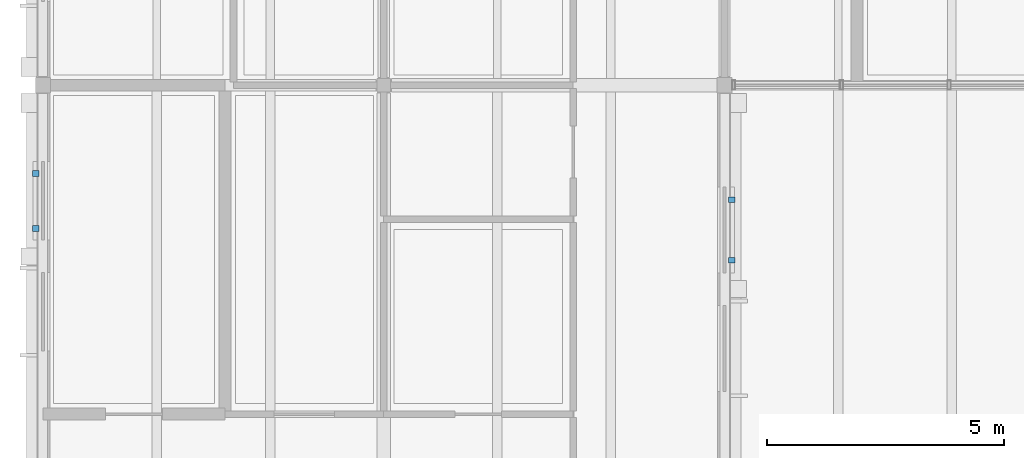
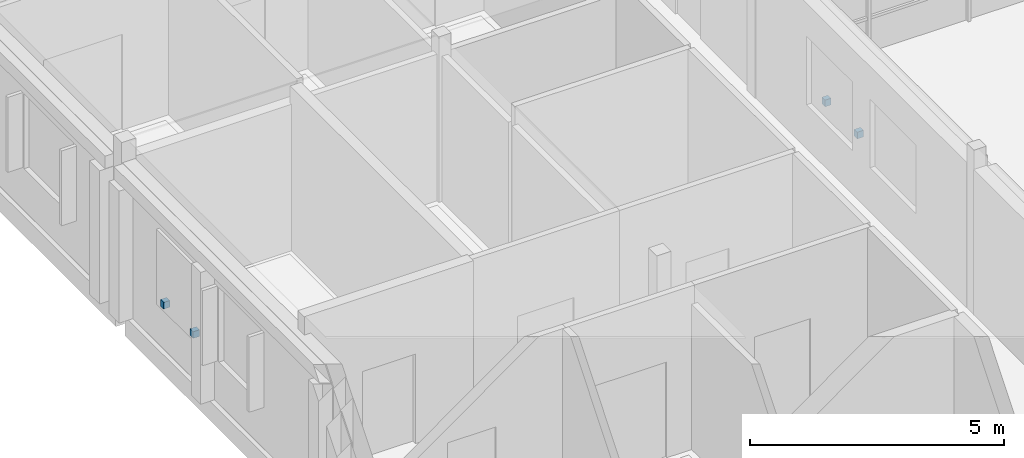
# One storey, part 47 of 57: 4 discrete accessories.
"""IFC4 building model written with IfcOpenShell, lengths in metres."""

from ifc_helpers import new_model, si_unit, direction, frame, origin, origin_2d, place, context, subcontext, project, spatial, rectangle, extrude, material, type_object, element, save


model = new_model("IFC4")

# Units and contexts
model_context = context("Model", 3, precision=1e-05, world=origin(), true_north=direction((0.0, 1.0)))
body_context = subcontext(model_context, "Body", "Model", "MODEL_VIEW")
ifc_project = project(units=[si_unit("LENGTHUNIT", "METRE"), si_unit("AREAUNIT", "SQUARE_METRE"), si_unit("VOLUMEUNIT", "CUBIC_METRE"), si_unit("PLANEANGLEUNIT", "RADIAN"), si_unit("MASSUNIT", "GRAM", prefix="KILO")], contexts=[model_context])

# Site, building, storey
site_placement = place(None, origin())
site = spatial("IfcSite", under=ifc_project, at=site_placement, CompositionType="ELEMENT")
building_placement = place(site_placement, origin())
building = spatial("IfcBuilding", under=site, at=building_placement, Name="Hawrajan Terrace Health Centre", CompositionType="ELEMENT")
storey_placement = place(building_placement, frame((0.0, 0.0, 13.199951171875)))
storey = spatial("IfcBuildingStorey", under=building, at=storey_placement, Name="L03", CompositionType="ELEMENT", Elevation=13.199951171875)

# Discrete accessories
ifc_material = material(Name="Steel S355", Category="steel")
discrete_accessory_type = type_object("IfcDiscreteAccessoryType", Name="FacadeBracket_S355", PredefinedType="BRACKET", material=ifc_material)
for number, where, z_axis, x_axis, name in (
    (1, (4.445068359375, 42.3740234375, 1.0703125), (0.0, 0.0, 1.0), (0.0, 1.0, 0.0), "Roshan support bracket BRK-L03-207-1"),
    (2, (4.445068359375, 43.535888671875, 1.0703125), (0.0, 0.0, 1.0), (0.0, 1.0, 0.0), "Roshan support bracket BRK-L03-207-2"),
    (3, (19.155029296875, 41.702880859375, 1.1201171875), (0.0, 0.0, 1.0), (0.0, 1.0, 0.0), "Roshan support bracket BRK-L03-219-1"),
    (4, (19.155029296875, 42.97705078125, 1.1201171875), (0.0, 0.0, 1.0), (0.0, 1.0, 0.0), "Roshan support bracket BRK-L03-219-2"),
):
    element("IfcDiscreteAccessory", number, at=place(storey_placement, frame(where, z_axis=z_axis, x_axis=x_axis)), inside=storey, type_object=discrete_accessory_type, Name=name, PredefinedType="BRACKET", context=body_context, shape_type="SweptSolid", body=[
        extrude(rectangle(XDim=0.1201171875, YDim=0.139892578125, at=origin_2d()), origin(), (0.0, 0.0, 1.0), 0.159912109375),
    ])

save(model, "model.ifc")
